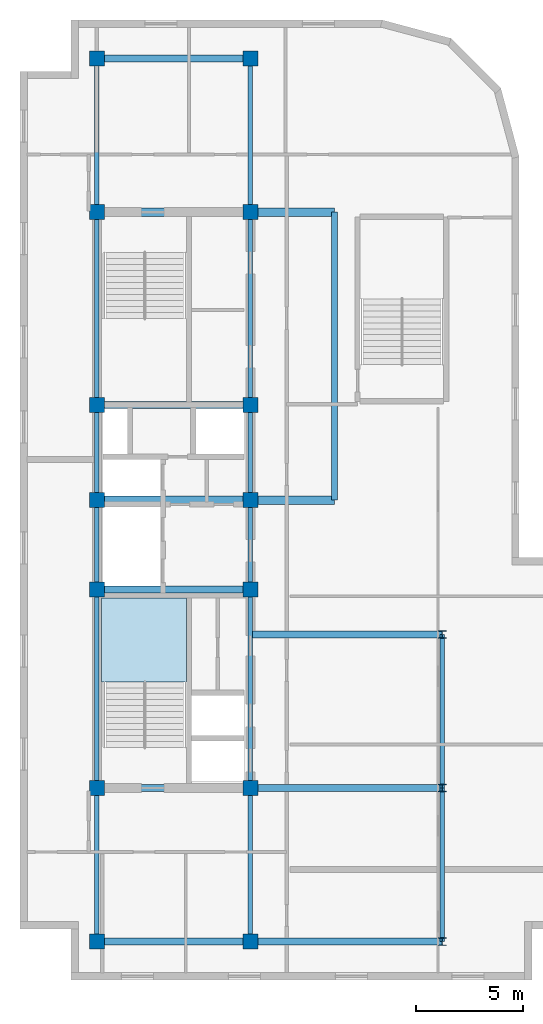
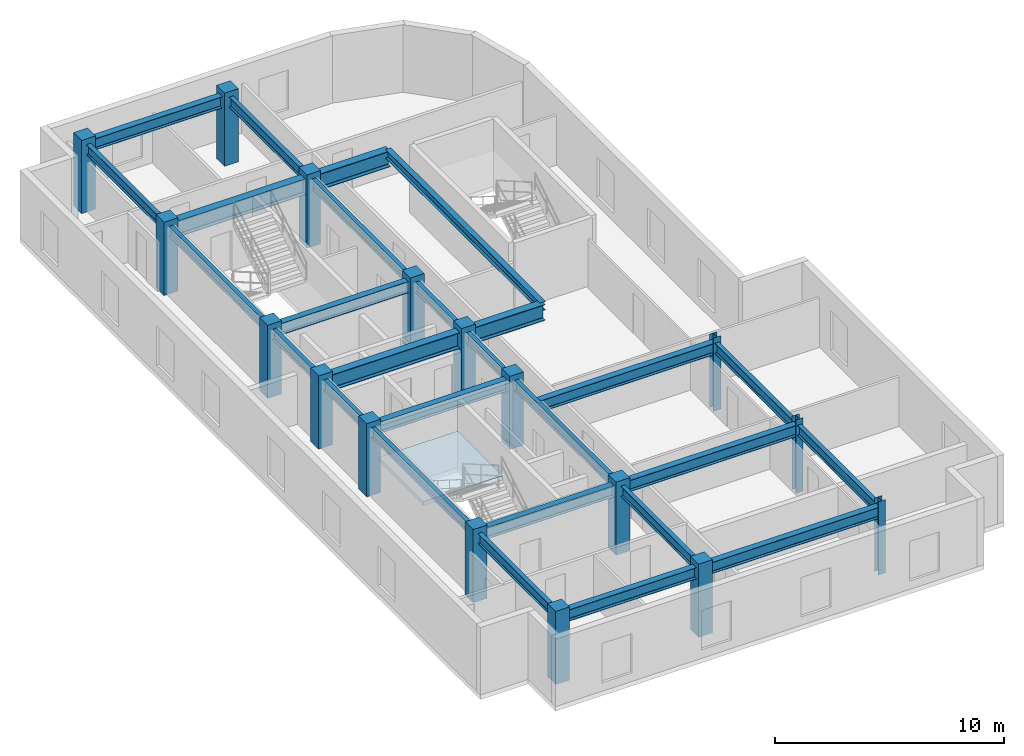
# One storey, part 1 of 6: 25 beams, 17 columns, 1 slab, 1 element without a shape of its own.
"""IFC4 building model written with IfcOpenShell, lengths in metres."""

from ifc_helpers import new_model, entity, si_unit, converted_unit, direction, frame, origin_with_axes, origin_2d_with_axis, place, context, subcontext, project, spatial, polyline, rectangle, i_section, outline, extrude, material, layer, layer_set, material_profile, profile_set, type_object, element, aggregate, save


model = new_model("IFC4")

# Units and contexts
model_context = context("Model", 3, precision=1e-05, world=origin_with_axes(), true_north=direction((0.0, 1.0)))
body_context = subcontext(model_context, "Body", "Model", "MODEL_VIEW")
ifc_project = project(units=[si_unit("LENGTHUNIT", "METRE"), si_unit("AREAUNIT", "SQUARE_METRE"), si_unit("VOLUMEUNIT", "CUBIC_METRE"), converted_unit("PLANEANGLEUNIT", "DEGREE", entity("IfcPlaneAngleMeasure", 0.017453292519943295), si_unit("PLANEANGLEUNIT", "RADIAN"), dimensions=[0, 0, 0, 0, 0, 0, 0]), si_unit("MASSUNIT", "GRAM", prefix="KILO"), si_unit("THERMODYNAMICTEMPERATUREUNIT", "KELVIN")], contexts=[model_context])

# Site, building, storey
site_placement = place(None, origin_with_axes())
site = spatial("IfcSite", under=ifc_project, at=site_placement, CompositionType="ELEMENT")
building_placement = place(site_placement, origin_with_axes())
building = spatial("IfcBuilding", under=site, at=building_placement, Name="Varnlund Millrace Tower", CompositionType="ELEMENT")
storey_placement = place(building_placement, frame((0.0, 0.0, 299.7), z_axis=(0.0, 0.0, 1.0), x_axis=(1.0, 0.0, 0.0)))
storey = spatial("IfcBuildingStorey", under=building, at=storey_placement, Name="L74", CompositionType="ELEMENT", Elevation=299.7)

# Columns
ifc_material_1 = material(Name="Steel ASTM A992 Grade 50", Category="steel")
ifc_material_profile_1 = material_profile(ifc_material_1, i_section(OverallWidth=0.369, OverallDepth=0.356, WebThickness=0.0112, FlangeThickness=0.018, FilletRadius=0.018, at=origin_2d_with_axis()), Name="Steel ASTM A992 Grade 50")
ifc_profile_set_1 = profile_set([ifc_material_profile_1], Name="Steel ASTM A992 Grade 50")
column_type_1 = type_object("IfcColumnType", Name="Type-Col-Int-W14X90", PredefinedType="COLUMN", material=ifc_profile_set_1)
for number, where, z_axis, x_axis, name in (
    (1, (27.6, 3.6, 0.0), (0.0, 0.0, 1.0), (1.0, 0.0, 0.0), "Type-Col-Int-W14X90"),
    (2, (27.6, 10.8, 0.0), (0.0, 0.0, 1.0), (1.0, 0.0, 0.0), "Type-Col-Int-W14X90"),
    (3, (27.6, 18.0, 0.0), (0.0, 0.0, 1.0), (1.0, 0.0, 0.0), "Type-Col-Int-W14X90"),
):
    element("IfcColumn", number, at=place(storey_placement, frame(where, z_axis=z_axis, x_axis=x_axis)), inside=storey, type_object=column_type_1, Name=name, PredefinedType="COLUMN", context=body_context, shape_type="SweptSolid", body=[
        extrude(i_section(OverallWidth=0.369, OverallDepth=0.356, WebThickness=0.0112, FlangeThickness=0.018, FilletRadius=0.018, at=origin_2d_with_axis()), origin_with_axes(), (0.0, 0.0, 1.0), 3.9),
    ])
ifc_material_2 = material(Name="Concrete C60/75", Category="concrete")
ifc_material_profile_2 = material_profile(ifc_material_2, rectangle(XDim=0.7, YDim=0.7, at=origin_2d_with_axis()), Name="Concrete C60/75")
ifc_profile_set_2 = profile_set([ifc_material_profile_2], Name="Concrete C60/75")
column_type_2 = type_object("IfcColumnType", Name="Type-Col-RC700-C60", PredefinedType="COLUMN", material=ifc_profile_set_2)
for number, where, z_axis, x_axis, name in (
    (4, (11.4, 3.6, 0.0), (0.0, 0.0, 1.0), (1.0, 0.0, 0.0), "Type-Col-RC700-C60"),
    (5, (11.4, 10.8, 0.0), (0.0, 0.0, 1.0), (1.0, 0.0, 0.0), "Type-Col-RC700-C60"),
    (6, (11.4, 20.1, 0.0), (0.0, 0.0, 1.0), (1.0, 0.0, 0.0), "Type-Col-RC700-C60"),
    (7, (11.4, 24.3, 0.0), (0.0, 0.0, 1.0), (1.0, 0.0, 0.0), "Type-Col-RC700-C60"),
    (8, (11.4, 28.75, 0.0), (0.0, 0.0, 1.0), (1.0, 0.0, 0.0), "Type-Col-RC700-C60"),
    (9, (11.4, 37.8, 0.0), (0.0, 0.0, 1.0), (1.0, 0.0, 0.0), "Type-Col-RC700-C60"),
    (10, (11.4, 45.0, 0.0), (0.0, 0.0, 1.0), (1.0, 0.0, 0.0), "Type-Col-RC700-C60"),
    (11, (18.6, 3.6, 0.0), (0.0, 0.0, 1.0), (1.0, 0.0, 0.0), "Type-Col-RC700-C60"),
    (12, (18.6, 10.8, 0.0), (0.0, 0.0, 1.0), (1.0, 0.0, 0.0), "Type-Col-RC700-C60"),
    (13, (18.6, 20.1, 0.0), (0.0, 0.0, 1.0), (1.0, 0.0, 0.0), "Type-Col-RC700-C60"),
    (14, (18.6, 24.3, 0.0), (0.0, 0.0, 1.0), (1.0, 0.0, 0.0), "Type-Col-RC700-C60"),
    (15, (18.6, 28.75, 0.0), (0.0, 0.0, 1.0), (1.0, 0.0, 0.0), "Type-Col-RC700-C60"),
    (16, (18.6, 37.8, 0.0), (0.0, 0.0, 1.0), (1.0, 0.0, 0.0), "Type-Col-RC700-C60"),
    (17, (18.6, 45.0, 0.0), (0.0, 0.0, 1.0), (1.0, 0.0, 0.0), "Type-Col-RC700-C60"),
):
    element("IfcColumn", number, at=place(storey_placement, frame(where, z_axis=z_axis, x_axis=x_axis)), inside=storey, type_object=column_type_2, Name=name, PredefinedType="COLUMN", context=body_context, shape_type="SweptSolid", body=[
        extrude(rectangle(XDim=0.7, YDim=0.7, at=origin_2d_with_axis()), origin_with_axes(), (0.0, 0.0, 1.0), 3.9),
    ])

# Beams
ifc_material_profile_3 = material_profile(ifc_material_1, i_section(OverallWidth=0.28, OverallDepth=0.463, WebThickness=0.0108, FlangeThickness=0.0173, FilletRadius=0.015, at=origin_2d_with_axis()), Name="Steel ASTM A992 Grade 50")
ifc_profile_set_3 = profile_set([ifc_material_profile_3], Name="Steel ASTM A992 Grade 50")
beam_type_1 = type_object("IfcBeamType", Name="Type-Beam-W18X76", PredefinedType="BEAM", material=ifc_profile_set_3)
beam_1_placement = place(storey_placement, frame((22.55, 24.3, 3.3685), z_axis=(0.0, 1.0, 0.0), x_axis=(-1.0, 0.0, 0.0)))
element("IfcBeam", 18, at=beam_1_placement, inside=storey, type_object=beam_type_1, Name="Type-Beam-W18X76", PredefinedType="BEAM", context=body_context, shape_type="SweptSolid", body=[
    extrude(i_section(OverallWidth=0.28, OverallDepth=0.463, WebThickness=0.0108, FlangeThickness=0.0173, FilletRadius=0.015, at=origin_2d_with_axis()), origin_with_axes(), (0.0, 0.0, 1.0), 13.5),
])
ifc_material_profile_4 = material_profile(ifc_material_1, i_section(OverallWidth=0.214, OverallDepth=0.549, WebThickness=0.0147, FlangeThickness=0.0236, FilletRadius=0.015, at=origin_2d_with_axis()), Name="Steel ASTM A992 Grade 50")
ifc_profile_set_4 = profile_set([ifc_material_profile_4], Name="Steel ASTM A992 Grade 50")
beam_type_2 = type_object("IfcBeamType", Name="Type-Beam-W21X93", PredefinedType="BEAM", material=ifc_profile_set_4)
beam_2_placement = place(storey_placement, frame((11.4, 3.6, 3.3255), z_axis=(0.0, 1.0, 0.0), x_axis=(-1.0, 0.0, 0.0)))
element("IfcBeam", 19, at=beam_2_placement, inside=storey, type_object=beam_type_2, Name="Type-Beam-W21X93", PredefinedType="BEAM", context=body_context, shape_type="SweptSolid", body=[
    extrude(i_section(OverallWidth=0.214, OverallDepth=0.549, WebThickness=0.0147, FlangeThickness=0.0236, FilletRadius=0.015, at=origin_2d_with_axis()), origin_with_axes(), (0.0, 0.0, 1.0), 7.2),
])
beam_3_placement = place(storey_placement, frame((11.4, 10.8, 3.3255), z_axis=(0.0, 1.0, 0.0), x_axis=(-1.0, 0.0, 0.0)))
element("IfcBeam", 20, at=beam_3_placement, inside=storey, type_object=beam_type_2, Name="Type-Beam-W21X93", PredefinedType="BEAM", context=body_context, shape_type="SweptSolid", body=[
    extrude(i_section(OverallWidth=0.214, OverallDepth=0.549, WebThickness=0.0147, FlangeThickness=0.0236, FilletRadius=0.015, at=origin_2d_with_axis()), origin_with_axes(), (0.0, 0.0, 1.0), 9.3),
])
beam_4_placement = place(storey_placement, frame((11.4, 20.1, 3.3255), z_axis=(0.0, 1.0, 0.0), x_axis=(-1.0, 0.0, 0.0)))
element("IfcBeam", 21, at=beam_4_placement, inside=storey, type_object=beam_type_2, Name="Type-Beam-W21X93", PredefinedType="BEAM", context=body_context, shape_type="SweptSolid", body=[
    extrude(i_section(OverallWidth=0.214, OverallDepth=0.549, WebThickness=0.0147, FlangeThickness=0.0236, FilletRadius=0.015, at=origin_2d_with_axis()), origin_with_axes(), (0.0, 0.0, 1.0), 4.2),
])
beam_5_placement = place(storey_placement, frame((11.4, 24.3, 3.3255), z_axis=(0.0, 1.0, 0.0), x_axis=(-1.0, 0.0, 0.0)))
element("IfcBeam", 22, at=beam_5_placement, inside=storey, type_object=beam_type_2, Name="Type-Beam-W21X93", PredefinedType="BEAM", context=body_context, shape_type="SweptSolid", body=[
    extrude(i_section(OverallWidth=0.214, OverallDepth=0.549, WebThickness=0.0147, FlangeThickness=0.0236, FilletRadius=0.015, at=origin_2d_with_axis()), origin_with_axes(), (0.0, 0.0, 1.0), 4.45),
])
beam_6_placement = place(storey_placement, frame((11.4, 28.75, 3.3255), z_axis=(0.0, 1.0, 0.0), x_axis=(-1.0, 0.0, 0.0)))
element("IfcBeam", 23, at=beam_6_placement, inside=storey, type_object=beam_type_2, Name="Type-Beam-W21X93", PredefinedType="BEAM", context=body_context, shape_type="SweptSolid", body=[
    extrude(i_section(OverallWidth=0.214, OverallDepth=0.549, WebThickness=0.0147, FlangeThickness=0.0236, FilletRadius=0.015, at=origin_2d_with_axis()), origin_with_axes(), (0.0, 0.0, 1.0), 9.05),
])
for number, where, z_axis, x_axis, name in (
    (24, (11.4, 37.8, 3.3255), (0.0, 1.0, 0.0), (-1.0, 0.0, 0.0), "Type-Beam-W21X93"),
    (25, (18.6, 3.6, 3.3255), (0.0, 1.0, 0.0), (-1.0, 0.0, 0.0), "Type-Beam-W21X93"),
):
    element("IfcBeam", number, at=place(storey_placement, frame(where, z_axis=z_axis, x_axis=x_axis)), inside=storey, type_object=beam_type_2, Name=name, PredefinedType="BEAM", context=body_context, shape_type="SweptSolid", body=[
        extrude(i_section(OverallWidth=0.214, OverallDepth=0.549, WebThickness=0.0147, FlangeThickness=0.0236, FilletRadius=0.015, at=origin_2d_with_axis()), origin_with_axes(), (0.0, 0.0, 1.0), 7.2),
    ])
beam_7_placement = place(storey_placement, frame((18.6, 10.8, 3.3255), z_axis=(0.0, 1.0, 0.0), x_axis=(-1.0, 0.0, 0.0)))
element("IfcBeam", 26, at=beam_7_placement, inside=storey, type_object=beam_type_2, Name="Type-Beam-W21X93", PredefinedType="BEAM", context=body_context, shape_type="SweptSolid", body=[
    extrude(i_section(OverallWidth=0.214, OverallDepth=0.549, WebThickness=0.0147, FlangeThickness=0.0236, FilletRadius=0.015, at=origin_2d_with_axis()), origin_with_axes(), (0.0, 0.0, 1.0), 9.3),
])
beam_8_placement = place(storey_placement, frame((18.6, 20.1, 3.3255), z_axis=(0.0, 1.0, 0.0), x_axis=(-1.0, 0.0, 0.0)))
element("IfcBeam", 27, at=beam_8_placement, inside=storey, type_object=beam_type_2, Name="Type-Beam-W21X93", PredefinedType="BEAM", context=body_context, shape_type="SweptSolid", body=[
    extrude(i_section(OverallWidth=0.214, OverallDepth=0.549, WebThickness=0.0147, FlangeThickness=0.0236, FilletRadius=0.015, at=origin_2d_with_axis()), origin_with_axes(), (0.0, 0.0, 1.0), 4.2),
])
beam_9_placement = place(storey_placement, frame((18.6, 24.3, 3.3255), z_axis=(0.0, 1.0, 0.0), x_axis=(-1.0, 0.0, 0.0)))
element("IfcBeam", 28, at=beam_9_placement, inside=storey, type_object=beam_type_2, Name="Type-Beam-W21X93", PredefinedType="BEAM", context=body_context, shape_type="SweptSolid", body=[
    extrude(i_section(OverallWidth=0.214, OverallDepth=0.549, WebThickness=0.0147, FlangeThickness=0.0236, FilletRadius=0.015, at=origin_2d_with_axis()), origin_with_axes(), (0.0, 0.0, 1.0), 4.45),
])
beam_10_placement = place(storey_placement, frame((18.6, 28.75, 3.3255), z_axis=(0.0, 1.0, 0.0), x_axis=(-1.0, 0.0, 0.0)))
element("IfcBeam", 29, at=beam_10_placement, inside=storey, type_object=beam_type_2, Name="Type-Beam-W21X93", PredefinedType="BEAM", context=body_context, shape_type="SweptSolid", body=[
    extrude(i_section(OverallWidth=0.214, OverallDepth=0.549, WebThickness=0.0147, FlangeThickness=0.0236, FilletRadius=0.015, at=origin_2d_with_axis()), origin_with_axes(), (0.0, 0.0, 1.0), 9.05),
])
for number, where, z_axis, x_axis, name in (
    (30, (18.6, 37.8, 3.3255), (0.0, 1.0, 0.0), (-1.0, 0.0, 0.0), "Type-Beam-W21X93"),
    (31, (27.6, 3.6, 3.3255), (0.0, 1.0, 0.0), (-1.0, 0.0, 0.0), "Type-Beam-W21X93"),
    (32, (27.6, 10.8, 3.3255), (0.0, 1.0, 0.0), (-1.0, 0.0, 0.0), "Type-Beam-W21X93"),
):
    element("IfcBeam", number, at=place(storey_placement, frame(where, z_axis=z_axis, x_axis=x_axis)), inside=storey, type_object=beam_type_2, Name=name, PredefinedType="BEAM", context=body_context, shape_type="SweptSolid", body=[
        extrude(i_section(OverallWidth=0.214, OverallDepth=0.549, WebThickness=0.0147, FlangeThickness=0.0236, FilletRadius=0.015, at=origin_2d_with_axis()), origin_with_axes(), (0.0, 0.0, 1.0), 7.2),
    ])
ifc_material_profile_5 = material_profile(ifc_material_1, i_section(OverallWidth=0.324, OverallDepth=0.611, WebThickness=0.0127, FlangeThickness=0.0191, FilletRadius=0.016, at=origin_2d_with_axis()), Name="Steel ASTM A992 Grade 50")
ifc_profile_set_5 = profile_set([ifc_material_profile_5], Name="Steel ASTM A992 Grade 50")
beam_type_3 = type_object("IfcBeamType", Name="Type-Girder-W24X104", PredefinedType="USERDEFINED", material=ifc_profile_set_5)
beam_11_placement = place(storey_placement, frame((11.4, 3.6, 3.2945), z_axis=(1.0, 0.0, 0.0), x_axis=(0.0, 1.0, 0.0)))
element("IfcBeam", 33, at=beam_11_placement, inside=storey, type_object=beam_type_3, Name="Type-Girder-W24X104", ObjectType="GIRDER", PredefinedType="USERDEFINED", context=body_context, shape_type="SweptSolid", body=[
    extrude(i_section(OverallWidth=0.324, OverallDepth=0.611, WebThickness=0.0127, FlangeThickness=0.0191, FilletRadius=0.016, at=origin_2d_with_axis()), origin_with_axes(), (0.0, 0.0, 1.0), 7.2),
])
beam_12_placement = place(storey_placement, frame((18.6, 3.6, 3.2945), z_axis=(1.0, 0.0, 0.0), x_axis=(0.0, 1.0, 0.0)))
element("IfcBeam", 34, at=beam_12_placement, inside=storey, type_object=beam_type_3, Name="Type-Girder-W24X104", ObjectType="GIRDER", PredefinedType="USERDEFINED", context=body_context, shape_type="SweptSolid", body=[
    extrude(i_section(OverallWidth=0.324, OverallDepth=0.611, WebThickness=0.0127, FlangeThickness=0.0191, FilletRadius=0.016, at=origin_2d_with_axis()), origin_with_axes(), (0.0, 0.0, 1.0), 9.0),
])
beam_13_placement = place(storey_placement, frame((11.4, 10.8, 3.2945), z_axis=(1.0, 0.0, 0.0), x_axis=(0.0, 1.0, 0.0)))
element("IfcBeam", 35, at=beam_13_placement, inside=storey, type_object=beam_type_3, Name="Type-Girder-W24X104", ObjectType="GIRDER", PredefinedType="USERDEFINED", context=body_context, shape_type="SweptSolid", body=[
    extrude(i_section(OverallWidth=0.324, OverallDepth=0.611, WebThickness=0.0127, FlangeThickness=0.0191, FilletRadius=0.016, at=origin_2d_with_axis()), origin_with_axes(), (0.0, 0.0, 1.0), 7.2),
])
for number, where, z_axis, x_axis, name in (
    (36, (18.6, 10.8, 3.2945), (1.0, 0.0, 0.0), (0.0, 1.0, 0.0), "Type-Girder-W24X104"),
    (37, (18.6, 18.0, 3.2945), (1.0, 0.0, 0.0), (0.0, 1.0, 0.0), "Type-Girder-W24X104"),
):
    element("IfcBeam", number, at=place(storey_placement, frame(where, z_axis=z_axis, x_axis=x_axis)), inside=storey, type_object=beam_type_3, Name=name, ObjectType="GIRDER", PredefinedType="USERDEFINED", context=body_context, shape_type="SweptSolid", body=[
        extrude(i_section(OverallWidth=0.324, OverallDepth=0.611, WebThickness=0.0127, FlangeThickness=0.0191, FilletRadius=0.016, at=origin_2d_with_axis()), origin_with_axes(), (0.0, 0.0, 1.0), 9.0),
    ])
for number, where, z_axis, x_axis, name in (
    (38, (11.4, 20.1, 3.2945), (1.0, 0.0, 0.0), (0.0, 1.0, 0.0), "Type-Girder-W24X104"),
    (39, (11.4, 28.75, 3.2945), (1.0, 0.0, 0.0), (0.0, 1.0, 0.0), "Type-Girder-W24X104"),
    (40, (11.4, 45.0, 3.2945), (1.0, 0.0, 0.0), (0.0, 1.0, 0.0), "Type-Girder-W24X104"),
):
    element("IfcBeam", number, at=place(storey_placement, frame(where, z_axis=z_axis, x_axis=x_axis)), inside=storey, type_object=beam_type_3, Name=name, ObjectType="GIRDER", PredefinedType="USERDEFINED", context=body_context, shape_type="SweptSolid", body=[
        extrude(i_section(OverallWidth=0.324, OverallDepth=0.611, WebThickness=0.0127, FlangeThickness=0.0191, FilletRadius=0.016, at=origin_2d_with_axis()), origin_with_axes(), (0.0, 0.0, 1.0), 7.2),
    ])
ifc_material_profile_6 = material_profile(ifc_material_1, i_section(OverallWidth=0.399, OverallDepth=0.855, WebThickness=0.0182, FlangeThickness=0.0292, FilletRadius=0.022, at=origin_2d_with_axis()), Name="Steel ASTM A992 Grade 50")
ifc_profile_set_6 = profile_set([ifc_material_profile_6], Name="Steel ASTM A992 Grade 50")
beam_type_4 = type_object("IfcBeamType", Name="Type-Girder-W33X201", PredefinedType="USERDEFINED", material=ifc_profile_set_6)
for number, where, z_axis, x_axis, name in (
    (41, (11.4, 24.3, 3.1725), (1.0, 0.0, 0.0), (0.0, 1.0, 0.0), "Type-Girder-W33X201"),
    (42, (11.4, 37.8, 3.1725), (1.0, 0.0, 0.0), (0.0, 1.0, 0.0), "Type-Girder-W33X201"),
):
    element("IfcBeam", number, at=place(storey_placement, frame(where, z_axis=z_axis, x_axis=x_axis)), inside=storey, type_object=beam_type_4, Name=name, ObjectType="GIRDER", PredefinedType="USERDEFINED", context=body_context, shape_type="SweptSolid", body=[
        extrude(i_section(OverallWidth=0.399, OverallDepth=0.855, WebThickness=0.0182, FlangeThickness=0.0292, FilletRadius=0.022, at=origin_2d_with_axis()), origin_with_axes(), (0.0, 0.0, 1.0), 11.15),
    ])

# Stair, slab
ifc_material_3 = material(Name="Concrete C50/60", Category="concrete")
stair_type = type_object("IfcStairType", Name="Type-Stair-Dogleg-185-390", PredefinedType="HALF_TURN_STAIR", material=ifc_material_3)
stair_placement = place(storey_placement, origin_with_axes())
stair = element("IfcStair", 43, at=stair_placement, inside=storey, type_object=stair_type, Name="Type-Stair-Dogleg-185-390", PredefinedType="HALF_TURN_STAIR")
ifc_layer = layer(ifc_material_3, 0.2, Name="Concrete C50/60")
ifc_layer_set = layer_set([ifc_layer], Name="Concrete C50/60")
slab_type = type_object("IfcSlabType", Name="Type-StairLanding-200", PredefinedType="LANDING", material=ifc_layer_set)
slab_placement = place(storey_placement, frame((0.0, 0.0, 1.75), z_axis=(0.0, 0.0, 1.0), x_axis=(1.0, 0.0, 0.0)))
slab = element("IfcSlab", 44, at=slab_placement, type_object=slab_type, Name="ST-A1 landing 1", PredefinedType="LANDING", context=body_context, shape_type="SweptSolid", body=[
    extrude(outline(polyline([(15.6, 15.78), (15.6, 19.7), (11.61, 19.7), (11.61, 15.78), (15.6, 15.78)])), origin_with_axes(), (0.0, 0.0, 1.0), 0.2),
])
aggregate(stair, [slab])

save(model, "model.ifc")
